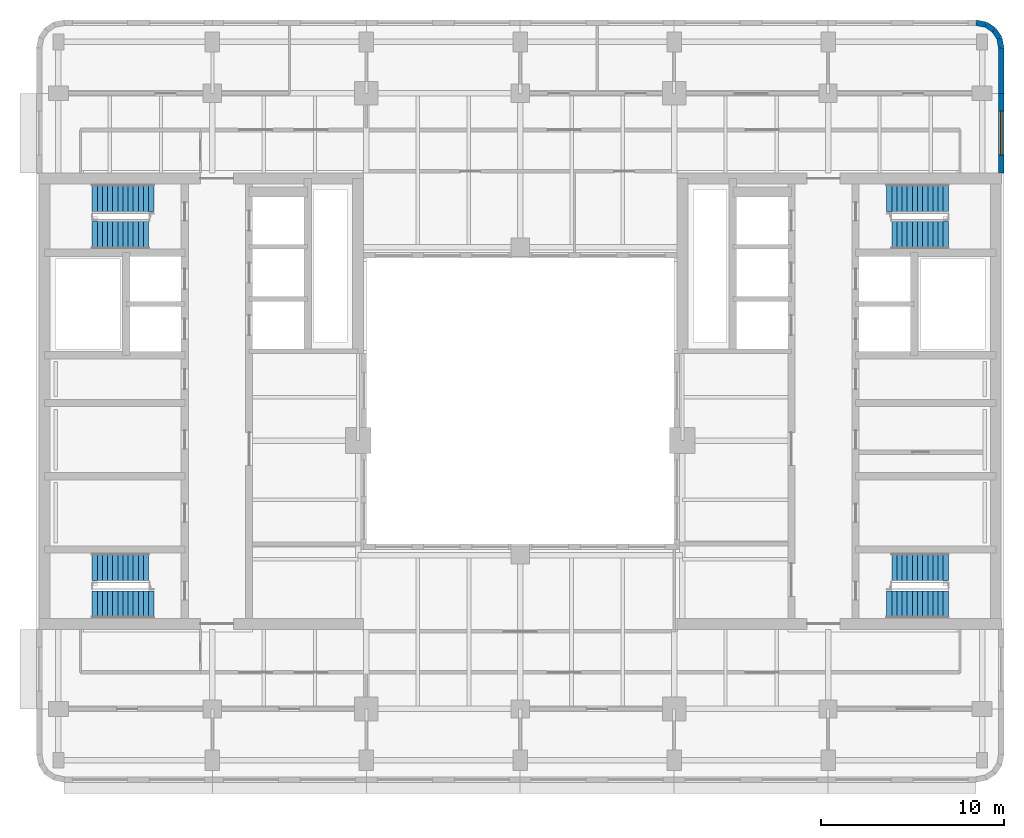
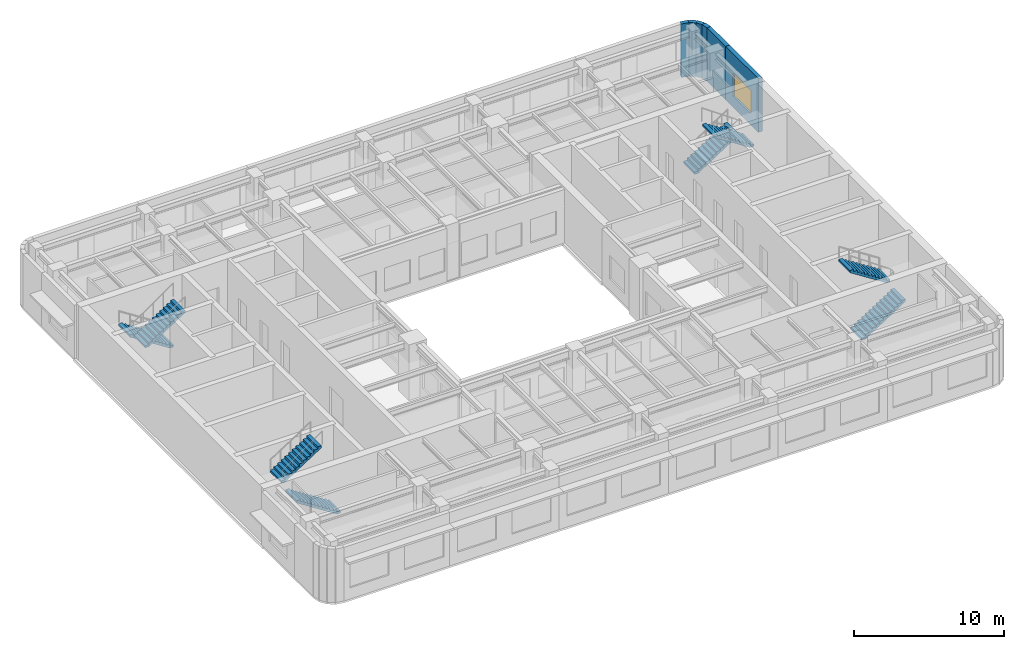
# One storey, part 8 of 11: 8 stair flights, 6 walls, 1 window, 1 opening, 4 elements without a shape of their own.
"""IFC4 building model written with IfcOpenShell, lengths in metres."""

from ifc_helpers import new_model, si_unit, direction, frame, frame_2d, origin, place, context, subcontext, project, spatial, polyline, rectangle, outline, extrude, material, layer, layer_set, type_object, element, fill, aggregate, save


model = new_model("IFC4")

# Units and contexts
model_context = context("Model", 3, precision=1e-05, world=origin(), true_north=direction((0.0, 1.0)))
body_context = subcontext(model_context, "Body", "Model", "MODEL_VIEW")
ifc_project = project(units=[si_unit("LENGTHUNIT", "METRE"), si_unit("AREAUNIT", "SQUARE_METRE"), si_unit("VOLUMEUNIT", "CUBIC_METRE"), si_unit("PLANEANGLEUNIT", "RADIAN"), si_unit("MASSUNIT", "GRAM", prefix="KILO")], contexts=[model_context])

# Site, building, storey
site_placement = place(None, origin())
site = spatial("IfcSite", under=ifc_project, at=site_placement, CompositionType="ELEMENT")
building_placement = place(site_placement, origin())
building = spatial("IfcBuilding", under=site, at=building_placement, Name="Claustro Exchange Tower", CompositionType="ELEMENT")
storey_placement = place(building_placement, frame((0.0, 0.0, 272.699951171875)))
storey = spatial("IfcBuildingStorey", under=building, at=storey_placement, Name="L62", CompositionType="ELEMENT", Elevation=272.699951171875)

# Walls
ifc_material_1 = material(Name="Concrete HA-40 (C40/50), precast, white cement, acid-etched", Category="concrete")
ifc_layer = layer(ifc_material_1, 0.300048828125)
ifc_layer_set = layer_set([ifc_layer], Name="Concrete HA-40 (C40/50), precast, white cement, acid-etched")
wall_type = type_object("IfcWallType", Name="PC1 300 precast concrete pier panel", PredefinedType="SOLIDWALL", material=ifc_layer_set)
wall_1_placement = place(storey_placement, frame((50.085205078125, 45.85009765625, 0.0), z_axis=(0.0, 0.0, 1.0), x_axis=(0.980702050465, -0.1955082817, 0.0)))
element("IfcWall", 1, at=wall_1_placement, inside=storey, type_object=wall_type, Name="Precast pier panel PC1 L62", PredefinedType="SOLIDWALL", context=body_context, shape_type="SweptSolid", body=[
    extrude(rectangle(XDim=0.540771484375, YDim=0.300048828125, at=frame_2d((0.2705078125, 0.0))), origin(), (0.0, 0.0, 1.0), 4.35009765625),
])
wall_2_placement = place(storey_placement, frame((50.615478515625, 45.744384765625, 0.0), z_axis=(0.0, 0.0, 1.0), x_axis=(0.831692711774, -0.555236195849, 0.0)))
element("IfcWall", 2, at=wall_2_placement, inside=storey, type_object=wall_type, Name="Precast pier panel PC1 L62", PredefinedType="SOLIDWALL", context=body_context, shape_type="SweptSolid", body=[
    extrude(rectangle(XDim=0.525390625, YDim=0.300048828125, at=frame_2d((0.2626953125, 0.0))), origin(), (0.0, 0.0, 1.0), 4.35009765625),
])
wall_3_placement = place(storey_placement, frame((51.052490234375, 45.45263671875, 0.0), z_axis=(0.0, 0.0, 1.0), x_axis=(0.55534295404, -0.831621430339, 0.0)))
element("IfcWall", 3, at=wall_3_placement, inside=storey, type_object=wall_type, Name="Precast pier panel PC1 L62", PredefinedType="SOLIDWALL", context=body_context, shape_type="SweptSolid", body=[
    extrude(rectangle(XDim=0.52587890625, YDim=0.300048828125, at=frame_2d((0.262939453125, 0.0))), origin(), (0.0, 0.0, 1.0), 4.35009765625),
])
wall_4_placement = place(storey_placement, frame((51.344482421875, 45.015380859375, 0.0), z_axis=(0.0, 0.0, 1.0), x_axis=(0.195073962632, -0.980788534345, 0.0)))
element("IfcWall", 4, at=wall_4_placement, inside=storey, type_object=wall_type, Name="Precast pier panel PC1 L62", PredefinedType="SOLIDWALL", context=body_context, shape_type="SweptSolid", body=[
    extrude(rectangle(XDim=0.540771484375, YDim=0.300048828125, at=frame_2d((0.2705078125, 0.0))), origin(), (0.0, 0.0, 1.0), 4.35009765625),
])
wall_5_placement = place(storey_placement, frame((51.449951171875, 44.485107421875, 0.0), z_axis=(0.0, 0.0, 1.0), x_axis=(0.0, -1.0, 0.0)))
element("IfcWall", 5, at=wall_5_placement, inside=storey, type_object=wall_type, Name="Precast pier panel PC1 L62", PredefinedType="SOLIDWALL", context=body_context, shape_type="SweptSolid", body=[
    extrude(rectangle(XDim=2.485107421875, YDim=0.300048828125, at=frame_2d((1.24267578125, 0.0))), origin(), (0.0, 0.0, 1.0), 4.35009765625),
])

# Wall, opening, window
wall_6_placement = place(storey_placement, frame((51.449951171875, 42.0, 0.0), z_axis=(0.0, 0.0, 1.0), x_axis=(0.0, -1.0, 0.0)))
wall_6 = element("IfcWall", 6, at=wall_6_placement, inside=storey, type_object=wall_type, Name="Precast pier panel PC1 L62", PredefinedType="SOLIDWALL", context=body_context, shape_type="SweptSolid", body=[
    extrude(rectangle(XDim=4.35009765625, YDim=0.300048828125, at=frame_2d((2.175048828125, 0.0))), origin(), (0.0, 0.0, 1.0), 4.35009765625),
])
opening_placement = place(wall_6_placement, frame((0.97509765625, 0.0, 0.89990234375)))
opening = element("IfcOpeningElement", 7, at=opening_placement, cuts=wall_6, Name="Opening W2", PredefinedType="OPENING", context=body_context, shape_type="SweptSolid", body=[
    extrude(rectangle(XDim=2.39990234375, YDim=1.89990234375, at=frame_2d((1.199951171875, 0.949951171875))), frame((0.0, 0.159912109375, 0.0), z_axis=(0.0, -1.0, 0.0), x_axis=(1.0, 0.0, 0.0)), (0.0, 0.0, 1.0), 0.320068359375),
])
ifc_material_2 = material(Name="Aluminium frame, clear double glazing", Category="aluminium")
window_type = type_object("IfcWindowType", Name="W2 2400 x 1900 window", PartitioningType="SINGLE_PANEL", PredefinedType="WINDOW", material=ifc_material_2)
window_placement = place(opening_placement, origin())
window = element("IfcWindow", 8, at=window_placement, inside=storey, type_object=window_type, Name="Window W2 L62", OverallHeight=1.89990234375, OverallWidth=2.39990234375, PartitioningType="SINGLE_PANEL", PredefinedType="WINDOW", context=body_context, shape_type="SweptSolid", body=[
    extrude(rectangle(XDim=2.39990234375, YDim=1.89990234375, at=frame_2d((1.199951171875, 0.949951171875))), frame((0.0, 0.030029296875, 0.0), z_axis=(0.0, -1.0, 0.0), x_axis=(1.0, 0.0, 0.0)), (0.0, 0.0, 1.0), 0.06005859375),
])
fill(opening, window)

# Stair, stair flight
ifc_material_3 = material(Name="Concrete HA-30 (C30/37), precast", Category="concrete")
stair_type = type_object("IfcStairType", Name="ST2 half-turn stair, 25 risers of 180", PredefinedType="HALF_TURN_STAIR", material=ifc_material_3)
stair_1_placement = place(storey_placement, origin())
stair_1 = element("IfcStair", 9, at=stair_1_placement, inside=storey, type_object=stair_type, Name="Stair STWA L62", PredefinedType="HALF_TURN_STAIR")
ifc_material_4 = material(Name="Concrete HA-30 (C30/37), precast", Category="concrete")
stair_flight_type_1 = type_object("IfcStairFlightType", Name="SF12B straight flight, 12 risers of 180, 1500 wide", PredefinedType="STRAIGHT", material=ifc_material_4)
stair_flight_1_placement = place(storey_placement, frame((1.840087890625, 16.14990234375, 2.340087890625), z_axis=(0.0, 0.0, 1.0), x_axis=(1.0, 0.0, 0.0)))
stair_flight_1 = element("IfcStairFlight", 10, at=stair_flight_1_placement, type_object=stair_flight_type_1, Name="STWA flight 2", NumberOfRisers=12, NumberOfTreads=11, PredefinedType="STRAIGHT", RiserHeight=0.18, TreadLength=0.28, context=body_context, shape_type="SweptSolid", body=[
    extrude(outline(polyline([(0.0, 0.0), (0.0, 0.179931640625), (0.280029296875, 0.179931640625), (0.280029296875, 0.360107421875), (0.56005859375, 0.360107421875), (0.56005859375, 0.5400390625), (0.840087890625, 0.5400390625), (0.840087890625, 0.719970703125), (1.1201171875, 0.719970703125), (1.1201171875, 0.89990234375), (1.39990234375, 0.89990234375), (1.39990234375, 1.080078125), (1.679931640625, 1.080078125), (1.679931640625, 1.260009765625), (1.9599609375, 1.260009765625), (1.9599609375, 1.43994140625), (2.239990234375, 1.43994140625), (2.239990234375, 1.6201171875), (2.52001953125, 1.6201171875), (2.52001953125, 1.800048828125), (2.800048828125, 1.800048828125), (2.800048828125, 1.97998046875), (3.080078125, 1.97998046875), (3.080078125, 2.159912109375), (3.080078125, 1.8017578125), (0.277099609375, 0.0), (0.0, 0.0)])), frame((0.0, 0.75, 0.0), z_axis=(0.0, -1.0, 0.0), x_axis=(1.0, 0.0, 0.0)), (0.0, 0.0, 1.0), 1.5),
])

stair_2_placement = place(storey_placement, origin())
stair_2 = element("IfcStair", 11, at=stair_2_placement, inside=storey, type_object=stair_type, Name="Stair STWB L62", PredefinedType="HALF_TURN_STAIR")
stair_flight_2_placement = place(storey_placement, frame((1.840087890625, 34.25, 2.340087890625), z_axis=(0.0, 0.0, 1.0), x_axis=(1.0, 0.0, 0.0)))
stair_flight_2 = element("IfcStairFlight", 12, at=stair_flight_2_placement, type_object=stair_flight_type_1, Name="STWB flight 2", NumberOfRisers=12, NumberOfTreads=11, PredefinedType="STRAIGHT", RiserHeight=0.18, TreadLength=0.28, context=body_context, shape_type="SweptSolid", body=[
    extrude(outline(polyline([(0.0, 0.0), (0.0, 0.179931640625), (0.280029296875, 0.179931640625), (0.280029296875, 0.360107421875), (0.56005859375, 0.360107421875), (0.56005859375, 0.5400390625), (0.840087890625, 0.5400390625), (0.840087890625, 0.719970703125), (1.1201171875, 0.719970703125), (1.1201171875, 0.89990234375), (1.39990234375, 0.89990234375), (1.39990234375, 1.080078125), (1.679931640625, 1.080078125), (1.679931640625, 1.260009765625), (1.9599609375, 1.260009765625), (1.9599609375, 1.43994140625), (2.239990234375, 1.43994140625), (2.239990234375, 1.6201171875), (2.52001953125, 1.6201171875), (2.52001953125, 1.800048828125), (2.800048828125, 1.800048828125), (2.800048828125, 1.97998046875), (3.080078125, 1.97998046875), (3.080078125, 2.159912109375), (3.080078125, 1.8017578125), (0.277099609375, 0.0), (0.0, 0.0)])), frame((0.0, 0.75, 0.0), z_axis=(0.0, -1.0, 0.0), x_axis=(1.0, 0.0, 0.0)), (0.0, 0.0, 1.0), 1.5),
])

stair_3_placement = place(storey_placement, origin())
stair_3 = element("IfcStair", 13, at=stair_3_placement, inside=storey, type_object=stair_type, Name="Stair STEA L62", PredefinedType="HALF_TURN_STAIR")
stair_flight_3_placement = place(storey_placement, frame((48.56005859375, 16.14990234375, 2.340087890625), z_axis=(0.0, 0.0, 1.0), x_axis=(-1.0, 0.0, 0.0)))
stair_flight_3 = element("IfcStairFlight", 14, at=stair_flight_3_placement, type_object=stair_flight_type_1, Name="STEA flight 2", NumberOfRisers=12, NumberOfTreads=11, PredefinedType="STRAIGHT", RiserHeight=0.18, TreadLength=0.28, context=body_context, shape_type="SweptSolid", body=[
    extrude(outline(polyline([(0.0, 0.0), (0.0, 0.179931640625), (0.280029296875, 0.179931640625), (0.280029296875, 0.360107421875), (0.56005859375, 0.360107421875), (0.56005859375, 0.5400390625), (0.840087890625, 0.5400390625), (0.840087890625, 0.719970703125), (1.1201171875, 0.719970703125), (1.1201171875, 0.89990234375), (1.39990234375, 0.89990234375), (1.39990234375, 1.080078125), (1.679931640625, 1.080078125), (1.679931640625, 1.260009765625), (1.9599609375, 1.260009765625), (1.9599609375, 1.43994140625), (2.239990234375, 1.43994140625), (2.239990234375, 1.6201171875), (2.52001953125, 1.6201171875), (2.52001953125, 1.800048828125), (2.800048828125, 1.800048828125), (2.800048828125, 1.97998046875), (3.080078125, 1.97998046875), (3.080078125, 2.159912109375), (3.080078125, 1.8017578125), (0.277099609375, 0.0), (0.0, 0.0)])), frame((0.0, 0.75, 0.0), z_axis=(0.0, -1.0, 0.0), x_axis=(1.0, 0.0, 0.0)), (0.0, 0.0, 1.0), 1.5),
])

stair_4_placement = place(storey_placement, origin())
stair_4 = element("IfcStair", 15, at=stair_4_placement, inside=storey, type_object=stair_type, Name="Stair STEB L62", PredefinedType="HALF_TURN_STAIR")
stair_flight_4_placement = place(storey_placement, frame((48.56005859375, 34.25, 2.340087890625), z_axis=(0.0, 0.0, 1.0), x_axis=(-1.0, 0.0, 0.0)))
stair_flight_4 = element("IfcStairFlight", 16, at=stair_flight_4_placement, type_object=stair_flight_type_1, Name="STEB flight 2", NumberOfRisers=12, NumberOfTreads=11, PredefinedType="STRAIGHT", RiserHeight=0.18, TreadLength=0.28, context=body_context, shape_type="SweptSolid", body=[
    extrude(outline(polyline([(0.0, 0.0), (0.0, 0.179931640625), (0.280029296875, 0.179931640625), (0.280029296875, 0.360107421875), (0.56005859375, 0.360107421875), (0.56005859375, 0.5400390625), (0.840087890625, 0.5400390625), (0.840087890625, 0.719970703125), (1.1201171875, 0.719970703125), (1.1201171875, 0.89990234375), (1.39990234375, 0.89990234375), (1.39990234375, 1.080078125), (1.679931640625, 1.080078125), (1.679931640625, 1.260009765625), (1.9599609375, 1.260009765625), (1.9599609375, 1.43994140625), (2.239990234375, 1.43994140625), (2.239990234375, 1.6201171875), (2.52001953125, 1.6201171875), (2.52001953125, 1.800048828125), (2.800048828125, 1.800048828125), (2.800048828125, 1.97998046875), (3.080078125, 1.97998046875), (3.080078125, 2.159912109375), (3.080078125, 1.8017578125), (0.277099609375, 0.0), (0.0, 0.0)])), frame((0.0, 0.75, 0.0), z_axis=(0.0, -1.0, 0.0), x_axis=(1.0, 0.0, 0.0)), (0.0, 0.0, 1.0), 1.5),
])

# Stair flight
ifc_material_5 = material(Name="Concrete HA-30 (C30/37), precast", Category="concrete")
stair_flight_type_2 = type_object("IfcStairFlightType", Name="SF13 straight flight, 13 risers of 180, 1500 wide", PredefinedType="STRAIGHT", material=ifc_material_5)
stair_flight_5_placement = place(storey_placement, frame((5.199951171875, 14.10009765625, 0.0), z_axis=(0.0, 0.0, 1.0), x_axis=(-1.0, 0.0, 0.0)))
stair_flight_5 = element("IfcStairFlight", 17, at=stair_flight_5_placement, type_object=stair_flight_type_2, Name="STWA flight 1", NumberOfRisers=13, NumberOfTreads=12, PredefinedType="STRAIGHT", RiserHeight=0.18, TreadLength=0.28, context=body_context, shape_type="SweptSolid", body=[
    extrude(outline(polyline([(0.0, 0.0), (0.0, 0.179931640625), (0.280029296875, 0.179931640625), (0.280029296875, 0.360107421875), (0.56005859375, 0.360107421875), (0.56005859375, 0.5400390625), (0.840087890625, 0.5400390625), (0.840087890625, 0.719970703125), (1.1201171875, 0.719970703125), (1.1201171875, 0.89990234375), (1.39990234375, 0.89990234375), (1.39990234375, 1.080078125), (1.679931640625, 1.080078125), (1.679931640625, 1.260009765625), (1.9599609375, 1.260009765625), (1.9599609375, 1.43994140625), (2.239990234375, 1.43994140625), (2.239990234375, 1.6201171875), (2.52001953125, 1.6201171875), (2.52001953125, 1.800048828125), (2.800048828125, 1.800048828125), (2.800048828125, 1.97998046875), (3.080078125, 1.97998046875), (3.080078125, 2.159912109375), (3.360107421875, 2.159912109375), (3.360107421875, 2.340087890625), (3.360107421875, 1.981689453125), (0.277099609375, 0.0), (0.0, 0.0)])), frame((0.0, 0.75, 0.0), z_axis=(0.0, -1.0, 0.0), x_axis=(1.0, 0.0, 0.0)), (0.0, 0.0, 1.0), 1.5),
])

aggregate(stair_1, [stair_flight_5, stair_flight_1])

stair_flight_6_placement = place(storey_placement, frame((5.199951171875, 36.300048828125, 0.0), z_axis=(0.0, 0.0, 1.0), x_axis=(-1.0, 0.0, 0.0)))
stair_flight_6 = element("IfcStairFlight", 18, at=stair_flight_6_placement, type_object=stair_flight_type_2, Name="STWB flight 1", NumberOfRisers=13, NumberOfTreads=12, PredefinedType="STRAIGHT", RiserHeight=0.18, TreadLength=0.28, context=body_context, shape_type="SweptSolid", body=[
    extrude(outline(polyline([(0.0, 0.0), (0.0, 0.179931640625), (0.280029296875, 0.179931640625), (0.280029296875, 0.360107421875), (0.56005859375, 0.360107421875), (0.56005859375, 0.5400390625), (0.840087890625, 0.5400390625), (0.840087890625, 0.719970703125), (1.1201171875, 0.719970703125), (1.1201171875, 0.89990234375), (1.39990234375, 0.89990234375), (1.39990234375, 1.080078125), (1.679931640625, 1.080078125), (1.679931640625, 1.260009765625), (1.9599609375, 1.260009765625), (1.9599609375, 1.43994140625), (2.239990234375, 1.43994140625), (2.239990234375, 1.6201171875), (2.52001953125, 1.6201171875), (2.52001953125, 1.800048828125), (2.800048828125, 1.800048828125), (2.800048828125, 1.97998046875), (3.080078125, 1.97998046875), (3.080078125, 2.159912109375), (3.360107421875, 2.159912109375), (3.360107421875, 2.340087890625), (3.360107421875, 1.981689453125), (0.277099609375, 0.0), (0.0, 0.0)])), frame((0.0, 0.75, 0.0), z_axis=(0.0, -1.0, 0.0), x_axis=(1.0, 0.0, 0.0)), (0.0, 0.0, 1.0), 1.5),
])

aggregate(stair_2, [stair_flight_6, stair_flight_2])

stair_flight_7_placement = place(storey_placement, frame((45.199951171875, 14.10009765625, 0.0), z_axis=(0.0, 0.0, 1.0), x_axis=(1.0, 0.0, 0.0)))
stair_flight_7 = element("IfcStairFlight", 19, at=stair_flight_7_placement, type_object=stair_flight_type_2, Name="STEA flight 1", NumberOfRisers=13, NumberOfTreads=12, PredefinedType="STRAIGHT", RiserHeight=0.18, TreadLength=0.28, context=body_context, shape_type="SweptSolid", body=[
    extrude(outline(polyline([(0.0, 0.0), (0.0, 0.179931640625), (0.280029296875, 0.179931640625), (0.280029296875, 0.360107421875), (0.56005859375, 0.360107421875), (0.56005859375, 0.5400390625), (0.840087890625, 0.5400390625), (0.840087890625, 0.719970703125), (1.1201171875, 0.719970703125), (1.1201171875, 0.89990234375), (1.39990234375, 0.89990234375), (1.39990234375, 1.080078125), (1.679931640625, 1.080078125), (1.679931640625, 1.260009765625), (1.9599609375, 1.260009765625), (1.9599609375, 1.43994140625), (2.239990234375, 1.43994140625), (2.239990234375, 1.6201171875), (2.52001953125, 1.6201171875), (2.52001953125, 1.800048828125), (2.800048828125, 1.800048828125), (2.800048828125, 1.97998046875), (3.080078125, 1.97998046875), (3.080078125, 2.159912109375), (3.360107421875, 2.159912109375), (3.360107421875, 2.340087890625), (3.360107421875, 1.981689453125), (0.277099609375, 0.0), (0.0, 0.0)])), frame((0.0, 0.75, 0.0), z_axis=(0.0, -1.0, 0.0), x_axis=(1.0, 0.0, 0.0)), (0.0, 0.0, 1.0), 1.5),
])

aggregate(stair_3, [stair_flight_7, stair_flight_3])

stair_flight_8_placement = place(storey_placement, frame((45.199951171875, 36.300048828125, 0.0), z_axis=(0.0, 0.0, 1.0), x_axis=(1.0, 0.0, 0.0)))
stair_flight_8 = element("IfcStairFlight", 20, at=stair_flight_8_placement, type_object=stair_flight_type_2, Name="STEB flight 1", NumberOfRisers=13, NumberOfTreads=12, PredefinedType="STRAIGHT", RiserHeight=0.18, TreadLength=0.28, context=body_context, shape_type="SweptSolid", body=[
    extrude(outline(polyline([(0.0, 0.0), (0.0, 0.179931640625), (0.280029296875, 0.179931640625), (0.280029296875, 0.360107421875), (0.56005859375, 0.360107421875), (0.56005859375, 0.5400390625), (0.840087890625, 0.5400390625), (0.840087890625, 0.719970703125), (1.1201171875, 0.719970703125), (1.1201171875, 0.89990234375), (1.39990234375, 0.89990234375), (1.39990234375, 1.080078125), (1.679931640625, 1.080078125), (1.679931640625, 1.260009765625), (1.9599609375, 1.260009765625), (1.9599609375, 1.43994140625), (2.239990234375, 1.43994140625), (2.239990234375, 1.6201171875), (2.52001953125, 1.6201171875), (2.52001953125, 1.800048828125), (2.800048828125, 1.800048828125), (2.800048828125, 1.97998046875), (3.080078125, 1.97998046875), (3.080078125, 2.159912109375), (3.360107421875, 2.159912109375), (3.360107421875, 2.340087890625), (3.360107421875, 1.981689453125), (0.277099609375, 0.0), (0.0, 0.0)])), frame((0.0, 0.75, 0.0), z_axis=(0.0, -1.0, 0.0), x_axis=(1.0, 0.0, 0.0)), (0.0, 0.0, 1.0), 1.5),
])

aggregate(stair_4, [stair_flight_8, stair_flight_4])

save(model, "model.ifc")
